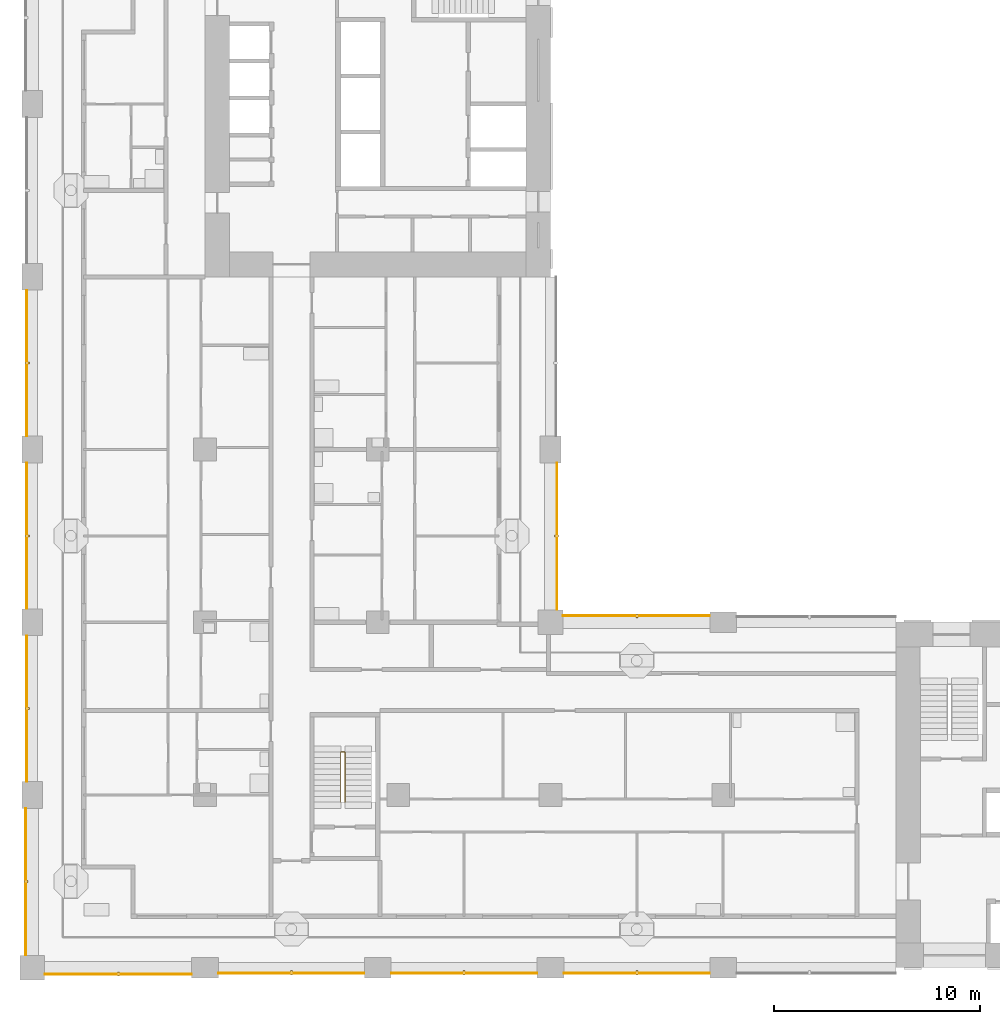
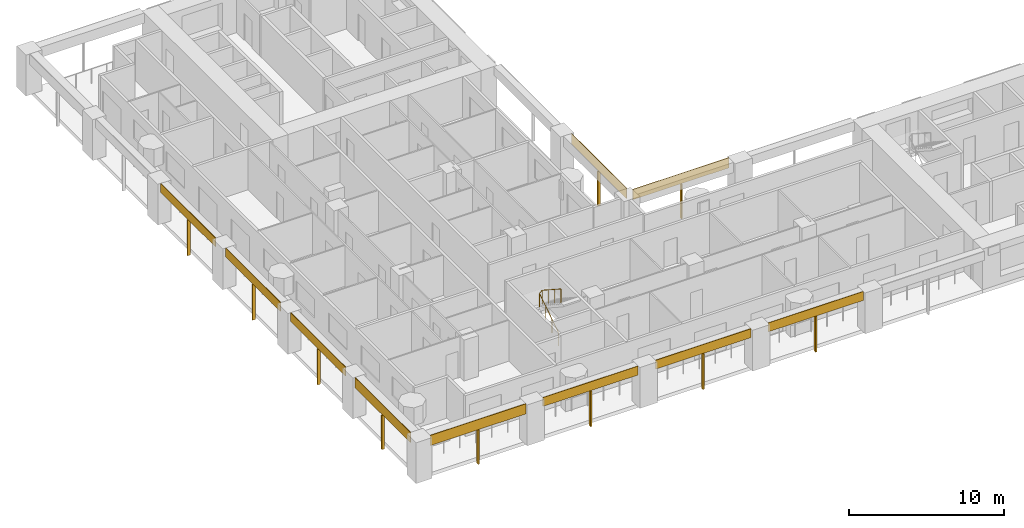
# One storey, part 9 of 18: 20 shading devices, 1 railing.
"""IFC4 building model written with IfcOpenShell, lengths in metres."""

from ifc_helpers import new_model, si_unit, direction, frame, origin, origin_2d, place, context, subcontext, project, spatial, rectangle, circle, extrude, material, layer, layer_set, material_profile, profile_set, type_object, element, save


model = new_model("IFC4")

# Units and contexts
model_context = context("Model", 3, precision=1e-05, world=origin(), true_north=direction((0.0, 1.0)))
body_context = subcontext(model_context, "Body", "Model", "MODEL_VIEW")
ifc_project = project(units=[si_unit("LENGTHUNIT", "METRE"), si_unit("AREAUNIT", "SQUARE_METRE"), si_unit("VOLUMEUNIT", "CUBIC_METRE"), si_unit("PLANEANGLEUNIT", "RADIAN"), si_unit("MASSUNIT", "GRAM", prefix="KILO")], contexts=[model_context])

# Site, building, storey
site_placement = place(None, origin())
site = spatial("IfcSite", under=ifc_project, at=site_placement, CompositionType="ELEMENT")
building_placement = place(site_placement, origin())
building = spatial("IfcBuilding", under=site, at=building_placement, Name="Vermilion Gate Residences", CompositionType="ELEMENT")
storey_placement = place(building_placement, frame((0.0, 0.0, 84.699951171875)))
storey = spatial("IfcBuildingStorey", under=building, at=storey_placement, Name="L20", CompositionType="ELEMENT", Elevation=84.699951171875)

# Shading devices
ifc_material_1 = material(Name="Perforated terracotta", Category="masonry")
ifc_layer = layer(ifc_material_1, 0.0400390625)
ifc_layer_set = layer_set([ifc_layer], Name="PERFORATED TERRACOTTA SCREEN 40")
shading_device_type_1 = type_object("IfcShadingDeviceType", Name="PERFORATED TERRACOTTA SCREEN 40", PredefinedType="SHUTTER", material=ifc_layer_set)
shading_device_1_placement = place(storey_placement, frame((4.175048828125, 8.080078125, 2.419921875), z_axis=(0.0, 0.0, 1.0), x_axis=(1.0, 0.0, 0.0)))
element("IfcShadingDevice", 1, at=shading_device_1_placement, inside=storey, type_object=shading_device_type_1, Name="SCREEN", PredefinedType="SHUTTER", context=body_context, shape_type="SweptSolid", body=[
    extrude(rectangle(XDim=7.14990234375, YDim=0.0400390625, at=origin_2d()), origin(), (0.0, 0.0, 1.0), 0.800048828125),
])
for number, where, z_axis, x_axis, name in (
    (2, (12.60009765625, 8.1298828125, 2.52001953125), (0.0, 0.0, 1.0), (1.0, 0.0, 0.0), "SCREEN"),
    (3, (21.0, 8.1298828125, 2.52001953125), (0.0, 0.0, 1.0), (1.0, 0.0, 0.0), "SCREEN"),
    (4, (29.39990234375, 8.1298828125, 2.52001953125), (0.0, 0.0, 1.0), (1.0, 0.0, 0.0), "SCREEN"),
):
    element("IfcShadingDevice", number, at=place(storey_placement, frame(where, z_axis=z_axis, x_axis=x_axis)), inside=storey, type_object=shading_device_type_1, Name=name, PredefinedType="SHUTTER", context=body_context, shape_type="SweptSolid", body=[
        extrude(rectangle(XDim=7.10009765625, YDim=0.0400390625, at=origin_2d()), origin(), (0.0, 0.0, 1.0), 0.699951171875),
    ])
for number, where, z_axis, x_axis, name in (
    (5, (29.375, 25.52001953125, 2.419921875), (0.0, 0.0, 1.0), (-1.0, 0.0, 0.0), "SCREEN"),
    (6, (25.52001953125, 29.375, 2.419921875), (0.0, 0.0, 1.0), (0.0, 1.0, 0.0), "SCREEN"),
    (7, (-0.320068359375, 12.574951171875, 2.419921875), (0.0, 0.0, 1.0), (0.0, -1.0, 0.0), "SCREEN"),
):
    element("IfcShadingDevice", number, at=place(storey_placement, frame(where, z_axis=z_axis, x_axis=x_axis)), inside=storey, type_object=shading_device_type_1, Name=name, PredefinedType="SHUTTER", context=body_context, shape_type="SweptSolid", body=[
        extrude(rectangle(XDim=7.14990234375, YDim=0.0400390625, at=origin_2d()), origin(), (0.0, 0.0, 1.0), 0.800048828125),
    ])
for number, where, z_axis, x_axis, name in (
    (8, (-0.27001953125, 21.0, 2.52001953125), (0.0, 0.0, 1.0), (0.0, -1.0, 0.0), "SCREEN"),
    (9, (-0.27001953125, 29.39990234375, 2.52001953125), (0.0, 0.0, 1.0), (0.0, -1.0, 0.0), "SCREEN"),
    (10, (-0.27001953125, 37.800048828125, 2.52001953125), (0.0, 0.0, 1.0), (0.0, -1.0, 0.0), "SCREEN"),
):
    element("IfcShadingDevice", number, at=place(storey_placement, frame(where, z_axis=z_axis, x_axis=x_axis)), inside=storey, type_object=shading_device_type_1, Name=name, PredefinedType="SHUTTER", context=body_context, shape_type="SweptSolid", body=[
        extrude(rectangle(XDim=7.10009765625, YDim=0.0400390625, at=origin_2d()), origin(), (0.0, 0.0, 1.0), 0.699951171875),
    ])

# Railing
ifc_material_2 = material(Name="Steel S355", Category="steel")
railing_type = type_object("IfcRailingType", Name="STAIR GUARD 1100 STEEL", PredefinedType="GUARDRAIL", material=ifc_material_2)
railing_placement = place(storey_placement, frame((15.0, 16.449951171875, 0.175048828125)))
element("IfcRailing", 11, at=railing_placement, inside=storey, type_object=railing_type, Name="Stair well guard STC1-20", PredefinedType="GUARDRAIL", context=body_context, shape_type="SweptSolid", body=[
    extrude(circle(Radius=0.02392578125, at=origin_2d()), frame((0.0, 0.0, 1.076171875), z_axis=(0.0, 0.839153699163, 0.543894354798), x_axis=(-1.0, 0.0, 0.0)), (0.0, 0.0, 1.0), 2.895751953125),
    extrude(circle(Radius=0.02392578125, at=origin_2d()), frame((0.0, 2.429931640625, 2.65087890625), z_axis=(0.752405939678, 0.0, 0.658699705433), x_axis=(0.0, 1.0, 0.0)), (0.0, 0.0, 1.0), 0.265869140625),
    extrude(circle(Radius=0.02392578125, at=origin_2d()), frame((0.199951171875, 2.429931640625, 2.826171875), z_axis=(0.0, -0.839153699163, 0.543894354798), x_axis=(1.0, 0.0, 0.0)), (0.0, 0.0, 1.0), 2.895751953125),
    extrude(circle(Radius=0.02099609375, at=origin_2d()), origin(), (0.0, 0.0, 1.0), 1.052001953125),
    extrude(circle(Radius=0.02099609375, at=origin_2d()), frame((0.0, 0.81005859375, 0.52490234375)), (0.0, 0.0, 1.0), 1.052001953125),
    extrude(circle(Radius=0.02099609375, at=origin_2d()), frame((0.0, 1.619873046875, 1.050048828125)), (0.0, 0.0, 1.0), 1.052001953125),
    extrude(circle(Radius=0.02099609375, at=origin_2d()), frame((0.0, 2.429931640625, 1.574951171875)), (0.0, 0.0, 1.0), 1.052001953125),
    extrude(circle(Radius=0.02099609375, at=origin_2d()), frame((0.199951171875, 2.429931640625, 1.75)), (0.0, 0.0, 1.0), 1.052001953125),
    extrude(circle(Radius=0.02099609375, at=origin_2d()), frame((0.199951171875, 1.619873046875, 2.27490234375)), (0.0, 0.0, 1.0), 1.052001953125),
    extrude(circle(Radius=0.02099609375, at=origin_2d()), frame((0.199951171875, 0.81005859375, 2.800048828125)), (0.0, 0.0, 1.0), 1.052001953125),
    extrude(circle(Radius=0.02099609375, at=origin_2d()), frame((0.199951171875, 0.0, 3.324951171875)), (0.0, 0.0, 1.0), 1.052001953125),
])

# Shading devices
ifc_material_3 = material(Name="Extruded terracotta", Category="masonry")
ifc_material_profile = material_profile(ifc_material_3, rectangle(XDim=0.199951171875, YDim=0.10009765625, at=origin_2d()), Name="BAGUETTE 100 X 200")
ifc_profile_set = profile_set([ifc_material_profile], Name="Extruded terracotta")
shading_device_type_2 = type_object("IfcShadingDeviceType", Name="TERRACOTTA BAGUETTE 100 X 200", PredefinedType="JALOUSIE", material=ifc_profile_set)
shading_device_2_placement = place(storey_placement, frame((4.199951171875, 8.10009765625, -0.280029296875), z_axis=(0.0, 0.0, 1.0), x_axis=(0.0, 1.0, 0.0)))
element("IfcShadingDevice", 12, at=shading_device_2_placement, inside=storey, type_object=shading_device_type_2, Name="BAGUETTE", PredefinedType="JALOUSIE", context=body_context, shape_type="SweptSolid", body=[
    extrude(rectangle(XDim=0.199951171875, YDim=0.10009765625, at=origin_2d()), origin(), (0.0, 0.0, 1.0), 2.7001953125),
])
for number, where, z_axis, x_axis, name in (
    (13, (12.60009765625, 8.14990234375, -0.280029296875), (0.0, 0.0, 1.0), (0.0, 1.0, 0.0), "BAGUETTE"),
    (14, (21.0, 8.14990234375, -0.280029296875), (0.0, 0.0, 1.0), (0.0, 1.0, 0.0), "BAGUETTE"),
    (15, (29.39990234375, 8.14990234375, -0.280029296875), (0.0, 0.0, 1.0), (0.0, 1.0, 0.0), "BAGUETTE"),
):
    element("IfcShadingDevice", number, at=place(storey_placement, frame(where, z_axis=z_axis, x_axis=x_axis)), inside=storey, type_object=shading_device_type_2, Name=name, PredefinedType="JALOUSIE", context=body_context, shape_type="SweptSolid", body=[
        extrude(rectangle(XDim=0.199951171875, YDim=0.10009765625, at=origin_2d()), origin(), (0.0, 0.0, 1.0), 2.800048828125),
    ])
for number, where, z_axis, x_axis, name in (
    (16, (29.39990234375, 25.5, -0.280029296875), (0.0, 0.0, 1.0), (0.0, -1.0, 0.0), "BAGUETTE"),
    (17, (25.5, 29.39990234375, -0.280029296875), (0.0, 0.0, 1.0), (-1.0, 0.0, 0.0), "BAGUETTE"),
    (18, (-0.300048828125, 12.60009765625, -0.280029296875), (0.0, 0.0, 1.0), (1.0, 0.0, 0.0), "BAGUETTE"),
):
    element("IfcShadingDevice", number, at=place(storey_placement, frame(where, z_axis=z_axis, x_axis=x_axis)), inside=storey, type_object=shading_device_type_2, Name=name, PredefinedType="JALOUSIE", context=body_context, shape_type="SweptSolid", body=[
        extrude(rectangle(XDim=0.199951171875, YDim=0.10009765625, at=origin_2d()), origin(), (0.0, 0.0, 1.0), 2.7001953125),
    ])
for number, where, z_axis, x_axis, name in (
    (19, (-0.25, 21.0, -0.280029296875), (0.0, 0.0, 1.0), (1.0, 0.0, 0.0), "BAGUETTE"),
    (20, (-0.25, 29.39990234375, -0.280029296875), (0.0, 0.0, 1.0), (1.0, 0.0, 0.0), "BAGUETTE"),
    (21, (-0.25, 37.800048828125, -0.280029296875), (0.0, 0.0, 1.0), (1.0, 0.0, 0.0), "BAGUETTE"),
):
    element("IfcShadingDevice", number, at=place(storey_placement, frame(where, z_axis=z_axis, x_axis=x_axis)), inside=storey, type_object=shading_device_type_2, Name=name, PredefinedType="JALOUSIE", context=body_context, shape_type="SweptSolid", body=[
        extrude(rectangle(XDim=0.199951171875, YDim=0.10009765625, at=origin_2d()), origin(), (0.0, 0.0, 1.0), 2.800048828125),
    ])

save(model, "model.ifc")
